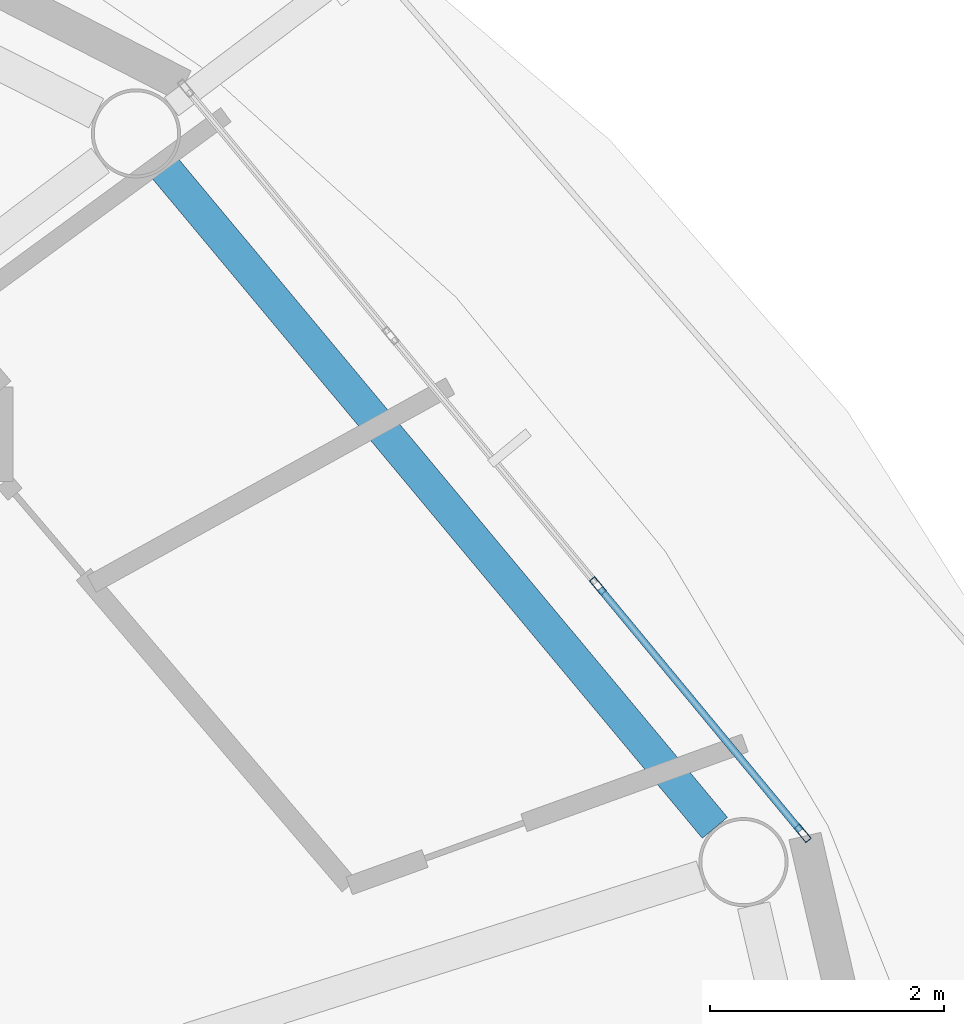
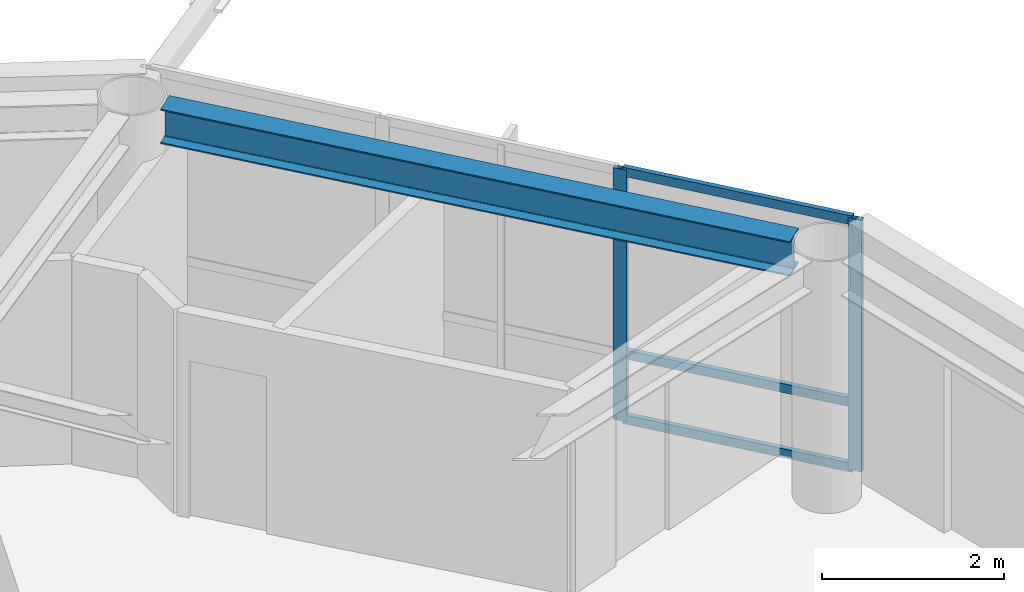
# One storey, part 7 of 23: 5 members, 1 beam, 1 element without a shape of its own.
"""IFC4 building model written with IfcOpenShell, lengths in metres."""

from ifc_helpers import new_model, si_unit, direction, frame, origin, origin_2d, place, context, subcontext, project, spatial, hollow_rectangle, i_section, extrude, material, layer, layer_set, material_profile, profile_set, type_object, element, aggregate, save


model = new_model("IFC4")

# Units and contexts
model_context = context("Model", 3, precision=1e-05, world=origin(), true_north=direction((0.0, 1.0)))
body_context = subcontext(model_context, "Body", "Model", "MODEL_VIEW")
ifc_project = project(units=[si_unit("LENGTHUNIT", "METRE"), si_unit("AREAUNIT", "SQUARE_METRE"), si_unit("VOLUMEUNIT", "CUBIC_METRE"), si_unit("PLANEANGLEUNIT", "RADIAN"), si_unit("MASSUNIT", "GRAM", prefix="KILO")], contexts=[model_context])

# Site, building, storey
site_placement = place(None, origin())
site = spatial("IfcSite", under=ifc_project, at=site_placement, CompositionType="ELEMENT")
building_placement = place(site_placement, origin())
building = spatial("IfcBuilding", under=site, at=building_placement, Name="Sarneth Arch Tower", CompositionType="ELEMENT")
storey_placement = place(building_placement, frame((0.0, 0.0, 280.199951171875)))
storey = spatial("IfcBuildingStorey", under=building, at=storey_placement, Name="L72", CompositionType="ELEMENT", Elevation=280.199951171875)

# Beam
ifc_material_1 = material(Name="Steel S355", Category="steel")
ifc_material_profile_1 = material_profile(ifc_material_1, i_section(OverallWidth=0.280029296875, OverallDepth=0.462890625, WebThickness=0.0107421875, FlangeThickness=0.017333984375, FilletRadius=0.01806640625, at=origin_2d()), Name="W460x113")
ifc_profile_set_1 = profile_set([ifc_material_profile_1], Name="Steel S355")
beam_type = type_object("IfcBeamType", Name="BM-RAD-460A", PredefinedType="BEAM", material=ifc_profile_set_1)
beam_placement = place(storey_placement, frame((70.9248046875, 49.64013671875, 3.138427734375), z_axis=(-0.640377192996, 0.768060577487, 0.0), x_axis=(-0.768060577487, -0.640377192996, 0.0)))
element("IfcBeam", 1, at=beam_placement, inside=storey, type_object=beam_type, Name="L72 Perimeter spandrel beam 02", PredefinedType="BEAM", context=body_context, shape_type="SweptSolid", body=[
    extrude(i_section(OverallWidth=0.280029296875, OverallDepth=0.462890625, WebThickness=0.0107421875, FlangeThickness=0.017333984375, FilletRadius=0.01806640625, at=origin_2d()), origin(), (0.0, 0.0, 1.0), 7.34814453125),
])

# Curtain wall, members
ifc_material_2 = material(Name="Anodised aluminium Type AA25 and solar-control low-e laminated IGU", Category="aluminium")
ifc_layer = layer(ifc_material_2, 0.179931640625)
ifc_layer_set = layer_set([ifc_layer], Name="Anodised aluminium Type AA25 and solar-control low-e laminated IGU")
curtain_wall_type = type_object("IfcCurtainWallType", Name="CW-RES-HIGH", PredefinedType="NOTDEFINED", material=ifc_layer_set)
curtain_wall_placement = place(storey_placement, origin())
curtain_wall = element("IfcCurtainWall", 2, at=curtain_wall_placement, inside=storey, type_object=curtain_wall_type, Name="L72 Unitised curtain wall facet 02", PredefinedType="NOTDEFINED")
ifc_material_3 = material(Name="Anodised Aluminium 6063-T6", Category="aluminium")
ifc_material_profile_2 = material_profile(ifc_material_3, hollow_rectangle(XDim=0.06005859375, YDim=0.159912109375, WallThickness=0.00390625, at=origin_2d()), Name="AL-MULL-160x60x4")
ifc_profile_set_2 = profile_set([ifc_material_profile_2], Name="Anodised Aluminium 6063-T6")
member_type_1 = type_object("IfcMemberType", Name="CW-MULLION", PredefinedType="MULLION", material=ifc_profile_set_2)
member_1_placement = place(storey_placement, frame((71.674560546875, 49.592529296875, 0.0), z_axis=(0.0, 0.0, 1.0), x_axis=(-0.770359245933, -0.637610094184, 0.0)))
member_1 = element("IfcMember", 3, at=member_1_placement, type_object=member_type_1, Name="CW-SYS-6 mullion 1", PredefinedType="MULLION", context=body_context, shape_type="SweptSolid", body=[
    extrude(hollow_rectangle(XDim=0.06005859375, YDim=0.159912109375, WallThickness=0.00390625, at=origin_2d()), origin(), (0.0, 0.0, 1.0), 3.3701171875),
])
member_2_placement = place(storey_placement, frame((69.92333984375, 51.70849609375, 0.0), z_axis=(0.0, 0.0, 1.0), x_axis=(-0.770359245933, -0.637610094184, 0.0)))
member_2 = element("IfcMember", 4, at=member_2_placement, type_object=member_type_1, Name="CW-SYS-6 mullion 2", PredefinedType="MULLION", context=body_context, shape_type="SweptSolid", body=[
    extrude(hollow_rectangle(XDim=0.06005859375, YDim=0.159912109375, WallThickness=0.00390625, at=origin_2d()), origin(), (0.0, 0.0, 1.0), 3.3701171875),
])
ifc_material_4 = material(Name="Anodised Aluminium 6063-T6", Category="aluminium")
ifc_material_profile_3 = material_profile(ifc_material_4, hollow_rectangle(XDim=0.06005859375, YDim=0.1201171875, WallThickness=0.00390625, at=origin_2d()), Name="AL-TRAN-120x60x4")
ifc_profile_set_3 = profile_set([ifc_material_profile_3], Name="Anodised Aluminium 6063-T6")
member_type_2 = type_object("IfcMemberType", Name="CW-TRANSOM", PredefinedType="USERDEFINED", material=ifc_profile_set_3)
member_3_placement = place(storey_placement, frame((71.655517578125, 49.61572265625, 0.030029296875), z_axis=(-0.637651400067, 0.770325056059, 0.0), x_axis=(-0.770325056059, -0.637651400067, 0.0)))
member_3 = element("IfcMember", 5, at=member_3_placement, type_object=member_type_2, Name="CW-SYS-6 transom 1.1", ObjectType="TRANSOM", PredefinedType="USERDEFINED", context=body_context, shape_type="SweptSolid", body=[
    extrude(hollow_rectangle(XDim=0.06005859375, YDim=0.1201171875, WallThickness=0.00390625, at=origin_2d()), origin(), (0.0, 0.0, 1.0), 2.6865234375),
])
member_4_placement = place(storey_placement, frame((71.655517578125, 49.61572265625, 0.900146484375), z_axis=(-0.637651400067, 0.770325056059, 0.0), x_axis=(-0.770325056059, -0.637651400067, 0.0)))
member_4 = element("IfcMember", 6, at=member_4_placement, type_object=member_type_2, Name="CW-SYS-6 transom 1.2", ObjectType="TRANSOM", PredefinedType="USERDEFINED", context=body_context, shape_type="SweptSolid", body=[
    extrude(hollow_rectangle(XDim=0.06005859375, YDim=0.1201171875, WallThickness=0.00390625, at=origin_2d()), origin(), (0.0, 0.0, 1.0), 2.6865234375),
])
member_5_placement = place(storey_placement, frame((71.655517578125, 49.61572265625, 3.340087890625), z_axis=(-0.637651400067, 0.770325056059, 0.0), x_axis=(-0.770325056059, -0.637651400067, 0.0)))
member_5 = element("IfcMember", 7, at=member_5_placement, type_object=member_type_2, Name="CW-SYS-6 transom 1.3", ObjectType="TRANSOM", PredefinedType="USERDEFINED", context=body_context, shape_type="SweptSolid", body=[
    extrude(hollow_rectangle(XDim=0.06005859375, YDim=0.1201171875, WallThickness=0.00390625, at=origin_2d()), origin(), (0.0, 0.0, 1.0), 2.6865234375),
])
aggregate(curtain_wall, [member_1, member_2, member_3, member_4, member_5])

save(model, "model.ifc")
